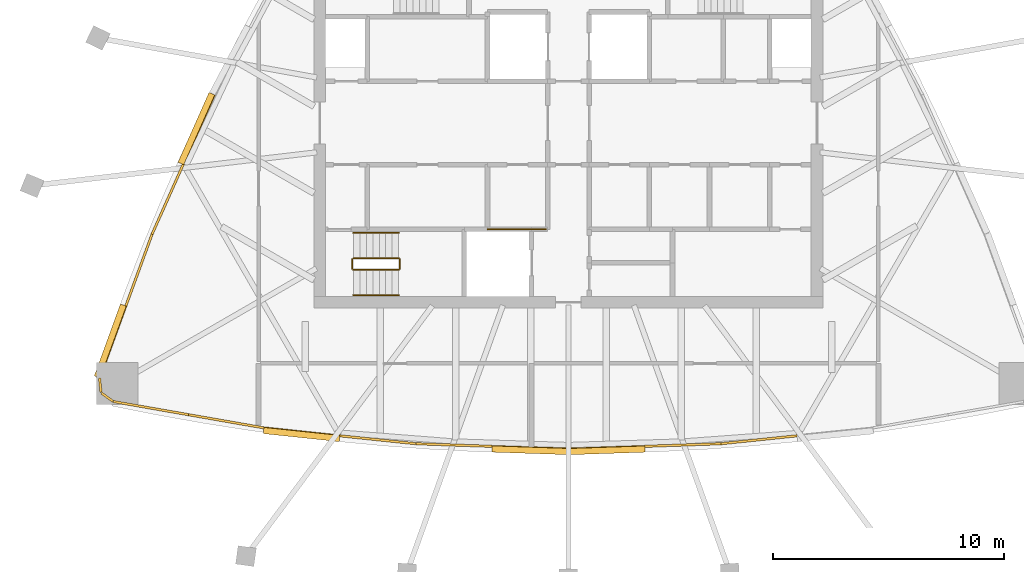
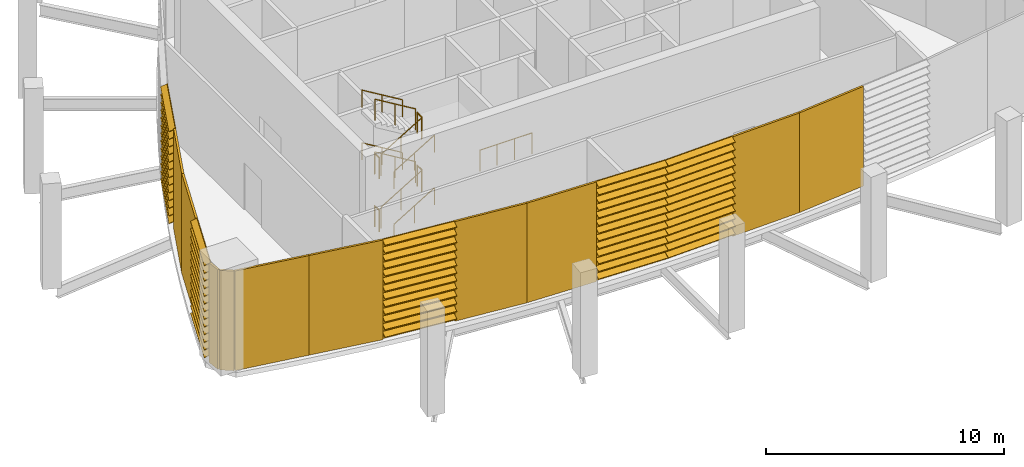
# One storey, part 6 of 8: 13 railings, 10 coverings, 5 shading devices.
"""IFC4 building model written with IfcOpenShell, lengths in metres."""

import ifcopenshell
import ifcopenshell.guid

model = None  # the IFC model being written
_history = None  # IfcOwnerHistory: only IFC2X3 demands one
_inside = {}  # id of a spatial element -> (the spatial element, [elements in it])
_under = {}  # id of a project, library or spatial element -> (it, [spatial elements below it])
_declared = {}  # id of a project -> (the project, [libraries it declares])
_typed = {}  # id of a type object -> (the type object, [elements of that type])
_made_of = {}  # id of a material, layer set ... -> (it, [elements and type objects made of it])


def new_model(schema):
    """Start an empty IFC model of exactly this schema.

    Asked for "IFC4X3", IfcOpenShell would pick the latest addendum, in which some entities
    have other attributes; the version numbers below select the first issue.
    IFC2X3 requires an IfcOwnerHistory on every rooted entity: one is made here for all.
    """
    global model, _history
    if schema == "IFC4X3":
        model = ifcopenshell.file(schema_version=(4, 3, 0, 0))
    else:
        model = ifcopenshell.file(schema=schema)
    _inside.clear()
    _under.clear()
    _declared.clear()
    _typed.clear()
    _made_of.clear()
    _history = None
    if model.schema == "IFC2X3":
        org = make("IfcOrganization", Name="unknown")
        user = make(
            "IfcPersonAndOrganization",
            ThePerson=make("IfcPerson", FamilyName="unknown"),
            TheOrganization=org,
        )
        app = make(
            "IfcApplication",
            ApplicationDeveloper=org,
            Version="unknown",
            ApplicationFullName="unknown",
            ApplicationIdentifier="unknown",
        )
        _history = make(
            "IfcOwnerHistory",
            OwningUser=user,
            OwningApplication=app,
            ChangeAction="ADDED",
            CreationDate=0,
        )
    return model


def make(cls, **values):
    """One entity of the class cls with the attributes given. An attribute that is None is left unset."""
    return model.create_entity(
        cls, **{name: value for name, value in values.items() if value is not None}
    )


def rooted(cls, **values):
    """An entity with a GlobalId (a new one), such as an element, a storey or a relation."""
    return make(cls, GlobalId=ifcopenshell.guid.new(), OwnerHistory=_history, **values)


def si_unit(unit_type, name, prefix=None):
    """IfcSIUnit, for example si_unit("LENGTHUNIT", "METRE", prefix="MILLI")."""
    return make("IfcSIUnit", UnitType=unit_type, Prefix=prefix, Name=name)


def assignment(units):
    """IfcUnitAssignment: the units of a project."""
    return None if units is None else make("IfcUnitAssignment", Units=units)


def point(xyz):
    """IfcCartesianPoint."""
    return None if xyz is None else make("IfcCartesianPoint", Coordinates=xyz)


def direction(xyz):
    """IfcDirection."""
    return None if xyz is None else make("IfcDirection", DirectionRatios=xyz)


def frame(location, z_axis=None, x_axis=None):
    """IfcAxis2Placement3D, a coordinate frame: its origin and axes. An axis left out is left unset."""
    return make(
        "IfcAxis2Placement3D",
        Location=point(location),
        Axis=direction(z_axis),
        RefDirection=direction(x_axis),
    )


def frame_2d(location, x_axis=None):
    """IfcAxis2Placement2D, a coordinate frame in the plane: its origin and x axis."""
    return make(
        "IfcAxis2Placement2D", Location=point(location), RefDirection=direction(x_axis)
    )


def origin():
    """The frame at (0, 0, 0) with its axes left unset."""
    return frame((0.0, 0.0, 0.0))


def origin_2d():
    """The frame at (0, 0) in the plane with its x axis left unset."""
    return frame_2d((0.0, 0.0))


def place(relative_to, where):
    """IfcLocalPlacement: puts the frame where relative to a parent placement (None: the world)."""
    return make(
        "IfcLocalPlacement", PlacementRelTo=relative_to, RelativePlacement=where
    )


def context(
    kind, dimensions, precision=None, world=None, true_north=None, identifier=None
):
    """IfcGeometricRepresentationContext, for example the 3D "Model" context."""
    return make(
        "IfcGeometricRepresentationContext",
        ContextIdentifier=identifier,
        ContextType=kind,
        CoordinateSpaceDimension=dimensions,
        Precision=precision,
        WorldCoordinateSystem=world,
        TrueNorth=true_north,
    )


def subcontext(parent, identifier, kind, view, scale=None):
    """IfcGeometricRepresentationSubContext, for example "Body" below "Model"."""
    return make(
        "IfcGeometricRepresentationSubContext",
        ContextIdentifier=identifier,
        ContextType=kind,
        ParentContext=parent,
        TargetScale=scale,
        TargetView=view,
    )


def project(units=None, contexts=None):
    """IfcProject with its units and contexts."""
    return rooted(
        "IfcProject",
        Name="project",
        RepresentationContexts=contexts,
        UnitsInContext=assignment(units),
    )


def spatial(cls, under=None, at=None, **own):
    """A site, building, storey or space (cls), placed at a placement, below another one or the project."""
    s = rooted(cls, ObjectPlacement=at, **own)
    if under is not None:
        _under.setdefault(under.id(), (under, []))[1].append(s)
    return s


def polyline(points):
    """IfcPolyline through the points."""
    return make("IfcPolyline", Points=[point(p) for p in points])


def profile(cls, at=None, kind="AREA", **sizes):
    """A parametric profile (cls). Its sizes go by their IFC names, for example OverallWidth=200.0."""
    return make(cls, ProfileType=kind, Position=at, **sizes)


def circle(**sizes):
    """IfcCircleProfileDef."""
    return profile("IfcCircleProfileDef", **sizes)


def outline(outer, holes=None, kind="AREA"):
    """IfcArbitraryClosedProfileDef: a profile drawn as a closed curve; with holes, ...WithVoids."""
    if holes is None:
        return make("IfcArbitraryClosedProfileDef", ProfileType=kind, OuterCurve=outer)
    return make(
        "IfcArbitraryProfileDefWithVoids",
        ProfileType=kind,
        OuterCurve=outer,
        InnerCurves=holes,
    )


def extrude(swept, where, along, depth):
    """IfcExtrudedAreaSolid: the profile swept, set in the frame where, extruded along a direction by depth."""
    return make(
        "IfcExtrudedAreaSolid",
        SweptArea=swept,
        Position=where,
        ExtrudedDirection=direction(along),
        Depth=depth,
    )


def shape(context_of_items, identifier, shape_type, items):
    """IfcShapeRepresentation: the items that make up one representation, for example the "Body"."""
    return make(
        "IfcShapeRepresentation",
        ContextOfItems=context_of_items,
        RepresentationIdentifier=identifier,
        RepresentationType=shape_type,
        Items=items,
    )


def material(Name=None, Category=None):
    """IfcMaterial."""
    return make("IfcMaterial", Name=Name, Category=Category)


def layer(
    of_material, thickness, ventilated=None, Name=None, Category=None, Priority=None
):
    """IfcMaterialLayer: one layer of a wall or slab, of a material (None: an air gap)."""
    return make(
        "IfcMaterialLayer",
        Material=of_material,
        LayerThickness=thickness,
        IsVentilated=ventilated,
        Name=Name,
        Category=Category,
        Priority=Priority,
    )


def layer_set(layers, Name=None):
    """IfcMaterialLayerSet."""
    return make("IfcMaterialLayerSet", MaterialLayers=layers, LayerSetName=Name)


def made_of(thing, what):
    """Note that an element or type object is made of a material, layer set ...; save() writes the relation."""
    if what is not None:
        _made_of.setdefault(what.id(), (what, []))[1].append(thing)
    return thing


def type_object(cls, material=None, **own):
    """A type object (cls), such as IfcWallType, which elements share."""
    return made_of(rooted(cls, **own), material)


def element(
    cls,
    number,
    at=None,
    inside=None,
    cuts=None,
    type_object=None,
    material=None,
    context=None,
    identifier="Body",
    shape_type=None,
    held_by="IfcProductDefinitionShape",
    body=None,
    shapes=None,
    **own,
):
    """One element of the class cls, such as IfcWall. Its Tag is "e" and its number.

    at: its placement. inside: the storey or other place that contains it. cuts: it is an
    opening in that element (IfcRelVoidsElement). A single representation is given by context,
    identifier, shape_type and body (its items); several are given by shapes. held_by: the class
    of the entity that holds the representations. save() writes the other relations.
    """
    e = rooted(cls, Tag="e%d" % number, ObjectPlacement=at, **own)
    if body is not None:
        shapes = [shape(context, identifier, shape_type, body)]
    if shapes is not None:
        e.Representation = make(held_by, Representations=shapes)
    if inside is not None:
        _inside.setdefault(inside.id(), (inside, []))[1].append(e)
    if cuts is not None:
        rooted(
            "IfcRelVoidsElement", RelatingBuildingElement=cuts, RelatedOpeningElement=e
        )
    if type_object is not None:
        _typed.setdefault(type_object.id(), (type_object, []))[1].append(e)
    return made_of(e, material)


def aggregate(whole, parts):
    """IfcRelAggregates: a whole, such as a stair, and the parts it consists of."""
    return rooted("IfcRelAggregates", RelatingObject=whole, RelatedObjects=parts)


def save(model, path):
    """Write the relations noted so far, then the file.

    IfcRelAggregates (storeys below a building ...), IfcRelContainedInSpatialStructure (elements
    in a storey), IfcRelDefinesByType, IfcRelAssociatesMaterial and IfcRelDeclares: one each for
    every whole, place, type object, material and project.
    """
    for whole, parts in _under.values():
        aggregate(whole, parts)
    for where, things in _inside.values():
        rooted(
            "IfcRelContainedInSpatialStructure",
            RelatedElements=things,
            RelatingStructure=where,
        )
    for kind, things in _typed.values():
        rooted("IfcRelDefinesByType", RelatedObjects=things, RelatingType=kind)
    for what, things in _made_of.values():
        rooted("IfcRelAssociatesMaterial", RelatedObjects=things, RelatingMaterial=what)
    for by, libraries in _declared.values():
        rooted("IfcRelDeclares", RelatingContext=by, RelatedDefinitions=libraries)
    model.write(path)


model = new_model("IFC4")

# Units and contexts
model_context = context("Model", 3, precision=1e-05, world=origin(), true_north=direction((0.0, 1.0)))
body_context = subcontext(model_context, "Body", "Model", "MODEL_VIEW")
ifc_project = project(units=[si_unit("LENGTHUNIT", "METRE"), si_unit("AREAUNIT", "SQUARE_METRE"), si_unit("VOLUMEUNIT", "CUBIC_METRE"), si_unit("PLANEANGLEUNIT", "RADIAN"), si_unit("MASSUNIT", "GRAM", prefix="KILO")], contexts=[model_context])

# Site, building, storey
site_placement = place(None, origin())
site = spatial("IfcSite", under=ifc_project, at=site_placement, CompositionType="ELEMENT")
building_placement = place(site_placement, origin())
building = spatial("IfcBuilding", under=site, at=building_placement, Name="Sierra Prisma Convention Tower", CompositionType="ELEMENT")
storey_placement = place(building_placement, frame((0.0, 0.0, 344.800048828125)))
storey = spatial("IfcBuildingStorey", under=building, at=storey_placement, Name="L77", CompositionType="ELEMENT", Elevation=344.800048828125)

# Coverings
ifc_material_1 = material(Name="Aluminium composite bronze anodised", Category="aluminium")
ifc_layer = layer(ifc_material_1, 0.10009765625)
ifc_layer_set = layer_set([ifc_layer], Name="Bronze cladding panel")
covering_type = type_object("IfcCoveringType", Name="Bronze cladding panel", PredefinedType="CLADDING", material=ifc_layer_set)
covering_1_placement = place(storey_placement, origin())
element("IfcCovering", 1, at=covering_1_placement, inside=storey, type_object=covering_type, Name="Crown cladding L77.1", PredefinedType="CLADDING", context=body_context, shape_type="SweptSolid", body=[
    extrude(outline(polyline([(-19.66845703125, -12.000244140625), (-16.41650390625, -12.568603515625), (-16.433837890625, -12.667236328125), (-19.685546875, -12.0986328125), (-19.66845703125, -12.000244140625)])), origin(), (0.0, 0.0, 1.0), 5.099853515625),
])
covering_2_placement = place(storey_placement, origin())
element("IfcCovering", 2, at=covering_2_placement, inside=storey, type_object=covering_type, Name="Crown cladding L77.2", PredefinedType="CLADDING", context=body_context, shape_type="SweptSolid", body=[
    extrude(outline(polyline([(-16.41650390625, -12.568603515625), (-13.164794921875, -13.13720703125), (-13.18212890625, -13.235595703125), (-16.433837890625, -12.667236328125), (-16.41650390625, -12.568603515625)])), origin(), (0.0, 0.0, 1.0), 5.099853515625),
])
covering_3_placement = place(storey_placement, origin())
element("IfcCovering", 3, at=covering_3_placement, inside=storey, type_object=covering_type, Name="Crown cladding L77.4", PredefinedType="CLADDING", context=body_context, shape_type="SweptSolid", body=[
    extrude(outline(polyline([(-9.881591796875, -13.479248046875), (-6.59814453125, -13.821533203125), (-6.608642578125, -13.9208984375), (-9.891845703125, -13.578857421875), (-9.881591796875, -13.479248046875)])), origin(), (0.0, 0.0, 1.0), 5.099853515625),
])
covering_4_placement = place(storey_placement, origin())
element("IfcCovering", 4, at=covering_4_placement, inside=storey, type_object=covering_type, Name="Crown cladding L77.5", PredefinedType="CLADDING", context=body_context, shape_type="SweptSolid", body=[
    extrude(outline(polyline([(-6.59814453125, -13.821533203125), (-3.299072265625, -13.935791015625), (-3.302490234375, -14.03564453125), (-6.601806640625, -13.92138671875), (-6.59814453125, -13.821533203125)])), origin(), (0.0, 0.0, 1.0), 5.099853515625),
])
covering_5_placement = place(storey_placement, origin())
element("IfcCovering", 5, at=covering_5_placement, inside=storey, type_object=covering_type, Name="Crown cladding L77.8", PredefinedType="CLADDING", context=body_context, shape_type="SweptSolid", body=[
    extrude(outline(polyline([(3.299072265625, -13.935791015625), (6.59814453125, -13.821533203125), (6.601806640625, -13.92138671875), (3.302490234375, -14.03564453125), (3.299072265625, -13.935791015625)])), origin(), (0.0, 0.0, 1.0), 5.099853515625),
])
covering_6_placement = place(storey_placement, origin())
element("IfcCovering", 6, at=covering_6_placement, inside=storey, type_object=covering_type, Name="Crown cladding L77.9", PredefinedType="CLADDING", context=body_context, shape_type="SweptSolid", body=[
    extrude(outline(polyline([(6.59814453125, -13.821533203125), (9.881591796875, -13.479248046875), (9.891845703125, -13.578857421875), (6.608642578125, -13.9208984375), (6.59814453125, -13.821533203125)])), origin(), (0.0, 0.0, 1.0), 5.099853515625),
])
covering_7_placement = place(storey_placement, origin())
element("IfcCovering", 7, at=covering_7_placement, inside=storey, type_object=covering_type, Name="Crown cladding L77.38", PredefinedType="CLADDING", context=body_context, shape_type="SweptSolid", body=[
    extrude(outline(polyline([(-16.6142578125, -1.818115234375), (-17.95947265625, -4.83251953125), (-18.05078125, -4.791748046875), (-16.70556640625, -1.77734375), (-16.6142578125, -1.818115234375)])), origin(), (0.0, 0.0, 1.0), 5.099853515625),
])
covering_8_placement = place(storey_placement, origin())
element("IfcCovering", 8, at=covering_8_placement, inside=storey, type_object=covering_type, Name="Crown cladding L77.39", PredefinedType="CLADDING", context=body_context, shape_type="SweptSolid", body=[
    extrude(outline(polyline([(-17.95947265625, -4.83251953125), (-19.093017578125, -7.932861328125), (-19.18701171875, -7.8984375), (-18.053466796875, -4.798095703125), (-17.95947265625, -4.83251953125)])), origin(), (0.0, 0.0, 1.0), 5.099853515625),
])
covering_9_placement = place(storey_placement, origin())
element("IfcCovering", 9, at=covering_9_placement, inside=storey, type_object=covering_type, Name="Crown cladding L77.41", PredefinedType="CLADDING", context=body_context, shape_type="SweptSolid", body=[
    extrude(outline(polyline([(-20.2265625, -11.033203125), (-20.163330078125, -11.641357421875), (-20.2626953125, -11.651611328125), (-20.326171875, -11.043701171875), (-20.2265625, -11.033203125)])), origin(), (0.0, 0.0, 1.0), 5.099853515625),
])
covering_10_placement = place(storey_placement, origin())
element("IfcCovering", 10, at=covering_10_placement, inside=storey, type_object=covering_type, Name="Crown cladding L77.42", PredefinedType="CLADDING", context=body_context, shape_type="SweptSolid", body=[
    extrude(outline(polyline([(-20.163330078125, -11.641357421875), (-19.66845703125, -12.000244140625), (-19.72705078125, -12.0810546875), (-20.221923828125, -11.72216796875), (-20.163330078125, -11.641357421875)])), origin(), (0.0, 0.0, 1.0), 5.099853515625),
])

# Railings
ifc_material_2 = material(Name="Stainless steel", Category="steel")
railing_type_1 = type_object("IfcRailingType", Name="Exit stair handrail", PredefinedType="HANDRAIL", material=ifc_material_2)
railing_1_placement = place(storey_placement, frame((-9.300048828125, -7.449951171875, 0.168701171875)))
element("IfcRailing", 11, at=railing_1_placement, inside=storey, type_object=railing_type_1, Name="L77 S1 stair handrail 1", PredefinedType="HANDRAIL", context=body_context, shape_type="SweptSolid", body=[
    extrude(circle(Radius=0.02392578125, at=origin_2d()), frame((0.0, 0.0, 0.8759765625), z_axis=(0.856493463811, 0.0, 0.516157869696), x_axis=(0.0, 1.0, 0.0)), (0.0, 0.0, 1.0), 2.288330078125),
    extrude(circle(Radius=0.02099609375, at=origin_2d()), origin(), (0.0, 0.0, 1.0), 0.851806640625),
    extrude(circle(Radius=0.02099609375, at=origin_2d()), frame((0.97998046875, 0.0, 0.590576171875)), (0.0, 0.0, 1.0), 0.851806640625),
    extrude(circle(Radius=0.02099609375, at=origin_2d()), frame((1.9599609375, 0.0, 1.18115234375)), (0.0, 0.0, 1.0), 0.851806640625),
])
railing_2_placement = place(storey_placement, frame((-7.340087890625, -4.75, 1.518798828125)))
element("IfcRailing", 12, at=railing_2_placement, inside=storey, type_object=railing_type_1, Name="L77 S1 stair handrail 2", PredefinedType="HANDRAIL", context=body_context, shape_type="SweptSolid", body=[
    extrude(circle(Radius=0.02392578125, at=origin_2d()), frame((0.0, 0.0, 0.8759765625), z_axis=(-0.856493463811, 0.0, 0.516157869696), x_axis=(0.0, -1.0, 0.0)), (0.0, 0.0, 1.0), 2.288330078125),
    extrude(circle(Radius=0.02099609375, at=origin_2d()), origin(), (0.0, 0.0, 1.0), 0.851806640625),
    extrude(circle(Radius=0.02099609375, at=origin_2d()), frame((-0.97998046875, 0.0, 0.590576171875)), (0.0, 0.0, 1.0), 0.851806640625),
    extrude(circle(Radius=0.02099609375, at=origin_2d()), frame((-1.9599609375, 0.0, 1.18115234375)), (0.0, 0.0, 1.0), 0.851806640625),
])
railing_3_placement = place(storey_placement, frame((-9.300048828125, -7.449951171875, 2.86865234375)))
element("IfcRailing", 13, at=railing_3_placement, inside=storey, type_object=railing_type_1, Name="L77 S1 stair handrail 3", PredefinedType="HANDRAIL", context=body_context, shape_type="SweptSolid", body=[
    extrude(circle(Radius=0.02392578125, at=origin_2d()), frame((0.0, 0.0, 0.8759765625), z_axis=(0.856446297458, 0.0, 0.516236127728), x_axis=(0.0, 1.0, 0.0)), (0.0, 0.0, 1.0), 2.28857421875),
    extrude(circle(Radius=0.02099609375, at=origin_2d()), origin(), (0.0, 0.0, 1.0), 0.851806640625),
    extrude(circle(Radius=0.02099609375, at=origin_2d()), frame((0.97998046875, 0.0, 0.5908203125)), (0.0, 0.0, 1.0), 0.851806640625),
    extrude(circle(Radius=0.02099609375, at=origin_2d()), frame((1.9599609375, 0.0, 1.181396484375)), (0.0, 0.0, 1.0), 0.851806640625),
])
railing_4_placement = place(storey_placement, frame((-7.340087890625, -4.75, 4.21875)))
element("IfcRailing", 14, at=railing_4_placement, inside=storey, type_object=railing_type_1, Name="L77 S1 stair handrail 4", PredefinedType="HANDRAIL", context=body_context, shape_type="SweptSolid", body=[
    extrude(circle(Radius=0.02392578125, at=origin_2d()), frame((0.0, 0.0, 0.8759765625), z_axis=(-0.856493463811, 0.0, 0.516157869696), x_axis=(0.0, -1.0, 0.0)), (0.0, 0.0, 1.0), 2.288330078125),
    extrude(circle(Radius=0.02099609375, at=origin_2d()), origin(), (0.0, 0.0, 1.0), 0.851806640625),
    extrude(circle(Radius=0.02099609375, at=origin_2d()), frame((-0.97998046875, 0.0, 0.590576171875)), (0.0, 0.0, 1.0), 0.851806640625),
    extrude(circle(Radius=0.02099609375, at=origin_2d()), frame((-1.9599609375, 0.0, 1.18115234375)), (0.0, 0.0, 1.0), 0.851806640625),
])
ifc_material_3 = material(Name="Bronze anodised aluminium", Category="aluminium")
railing_type_2 = type_object("IfcRailingType", Name="Facade guard 1100", PredefinedType="GUARDRAIL", material=ifc_material_3)
railing_5_placement = place(storey_placement, frame((-3.5, -4.60009765625, 0.0)))
element("IfcRailing", 15, at=railing_5_placement, inside=storey, type_object=railing_type_2, Name="Lift opening guard", PredefinedType="GUARDRAIL", context=body_context, shape_type="SweptSolid", body=[
    extrude(circle(Radius=0.02392578125, at=origin_2d()), frame((0.0, 0.0, 1.076171875), z_axis=(1.0, 0.0, 0.0), x_axis=(0.0, 1.0, 0.0)), (0.0, 0.0, 1.0), 2.530029296875),
    extrude(circle(Radius=0.02099609375, at=origin_2d()), origin(), (0.0, 0.0, 1.0), 1.052001953125),
    extrude(circle(Radius=0.02099609375, at=origin_2d()), frame((0.84326171875, 0.0, 0.0)), (0.0, 0.0, 1.0), 1.052001953125),
    extrude(circle(Radius=0.02099609375, at=origin_2d()), frame((1.686767578125, 0.0, 0.0)), (0.0, 0.0, 1.0), 1.052001953125),
    extrude(circle(Radius=0.02099609375, at=origin_2d()), frame((2.530029296875, 0.0, 0.0)), (0.0, 0.0, 1.0), 1.052001953125),
])

# Shading devices
ifc_material_4 = material(Name="Aluminium 6063-T6 bronze anodised", Category="aluminium")
shading_device_type = type_object("IfcShadingDeviceType", Name="Louvre bay bronze", PredefinedType="USERDEFINED", material=ifc_material_4)
shading_device_1_placement = place(storey_placement, frame((-13.164794921875, -13.13720703125, 0.0), z_axis=(-0.994456345871, 0.10515025514, 0.0), x_axis=(0.0, 0.0, 1.0)))
element("IfcShadingDevice", 16, at=shading_device_1_placement, inside=storey, type_object=shading_device_type, Name="Crown louvre L77.3", ObjectType="LOUVRE", PredefinedType="USERDEFINED", context=body_context, shape_type="SweptSolid", body=[
    extrude(outline(polyline([(0.0, 0.0), (5.099853515625, 0.0), (5.099853515625, -0.02995376648269937), (5.079833984375, -0.02995376648269937), (4.9599609375, -0.2999718963166088), (4.929931640625, -0.2999718963166088), (5.050048828125, -0.02995376648269937), (4.707763671875, -0.02995376648269937), (4.687744140625, -0.02995376648269937), (4.567626953125, -0.2999718963166088), (4.53759765625, -0.2999718963166088), (4.65771484375, -0.02995376648269937), (4.3154296875, -0.02995376648269937), (4.29541015625, -0.02995376648269937), (4.17529296875, -0.2999718963166088), (4.145263671875, -0.2999718963166088), (4.265380859375, -0.02995376648269937), (3.923095703125, -0.02995376648269937), (3.903076171875, -0.02995376648269937), (3.782958984375, -0.2999718963166088), (3.7529296875, -0.2999718963166088), (3.873046875, -0.02995376648269937), (3.53076171875, -0.02995376648269937), (3.5107421875, -0.02995376648269937), (3.390625, -0.2999718963166088), (3.36083984375, -0.2999718963166088), (3.480712890625, -0.02995376648269937), (3.138427734375, -0.02995376648269937), (3.118408203125, -0.02995376648269937), (2.998291015625, -0.2999718963166088), (2.968505859375, -0.2999718963166088), (3.08837890625, -0.02995376648269937), (2.74609375, -0.02995376648269937), (2.72607421875, -0.02995376648269937), (2.606201171875, -0.2999718963166088), (2.576171875, -0.2999718963166088), (2.696044921875, -0.02995376648269937), (2.353759765625, -0.02995376648269937), (2.333740234375, -0.02995376648269937), (2.2138671875, -0.2999718963166088), (2.183837890625, -0.2999718963166088), (2.3037109375, -0.02995376648269937), (1.96142578125, -0.02995376648269937), (1.94140625, -0.02995376648269937), (1.821533203125, -0.2999718963166088), (1.79150390625, -0.2999718963166088), (1.911376953125, -0.02995376648269937), (1.569091796875, -0.02995376648269937), (1.549072265625, -0.02995376648269937), (1.42919921875, -0.2999718963166088), (1.399169921875, -0.2999718963166088), (1.519287109375, -0.02995376648269937), (1.1767578125, -0.02995376648269937), (1.156982421875, -0.02995376648269937), (1.036865234375, -0.2999718963166088), (1.0068359375, -0.2999718963166088), (1.126953125, -0.02995376648269937), (0.78466796875, -0.02995376648269937), (0.7646484375, -0.02995376648269937), (0.64453125, -0.2999718963166088), (0.614501953125, -0.2999718963166088), (0.734619140625, -0.02995376648269937), (0.392333984375, -0.02995376648269937), (0.372314453125, -0.02995376648269937), (0.252197265625, -0.2999718963166088), (0.22216796875, -0.2999718963166088), (0.34228515625, -0.02995376648269937), (0.0, -0.02995376648269937), (0.0, 0.0)])), origin(), (0.0, 0.0, -1.0), 3.301025390625),
])
shading_device_2_placement = place(storey_placement, frame((-3.299072265625, -13.935791015625, 0.0), z_axis=(-0.999434328226, 0.033630693773, 0.0), x_axis=(0.0, 0.0, 1.0)))
element("IfcShadingDevice", 17, at=shading_device_2_placement, inside=storey, type_object=shading_device_type, Name="Crown louvre L77.6", ObjectType="LOUVRE", PredefinedType="USERDEFINED", context=body_context, shape_type="SweptSolid", body=[
    extrude(outline(polyline([(0.0, 0.0), (5.099853515625, 0.0), (5.099853515625, -0.030045152623749297), (5.079833984375, -0.030045152623749297), (4.9599609375, -0.29998815305020465), (4.929931640625, -0.29998815305020465), (5.050048828125, -0.030045152623749297), (4.707763671875, -0.030045152623749297), (4.687744140625, -0.030045152623749297), (4.567626953125, -0.29998815305020465), (4.53759765625, -0.29998815305020465), (4.65771484375, -0.030045152623749297), (4.3154296875, -0.030045152623749297), (4.29541015625, -0.030045152623749297), (4.17529296875, -0.29998815305020465), (4.145263671875, -0.29998815305020465), (4.265380859375, -0.030045152623749297), (3.923095703125, -0.030045152623749297), (3.903076171875, -0.030045152623749297), (3.782958984375, -0.29998815305020465), (3.7529296875, -0.29998815305020465), (3.873046875, -0.030045152623749297), (3.53076171875, -0.030045152623749297), (3.5107421875, -0.030045152623749297), (3.390625, -0.29998815305020465), (3.36083984375, -0.29998815305020465), (3.480712890625, -0.030045152623749297), (3.138427734375, -0.030045152623749297), (3.118408203125, -0.030045152623749297), (2.998291015625, -0.29998815305020465), (2.968505859375, -0.29998815305020465), (3.08837890625, -0.030045152623749297), (2.74609375, -0.030045152623749297), (2.72607421875, -0.030045152623749297), (2.606201171875, -0.29998815305020465), (2.576171875, -0.29998815305020465), (2.696044921875, -0.030045152623749297), (2.353759765625, -0.030045152623749297), (2.333740234375, -0.030045152623749297), (2.2138671875, -0.29998815305020465), (2.183837890625, -0.29998815305020465), (2.3037109375, -0.030045152623749297), (1.96142578125, -0.030045152623749297), (1.94140625, -0.030045152623749297), (1.821533203125, -0.29998815305020465), (1.79150390625, -0.29998815305020465), (1.911376953125, -0.030045152623749297), (1.569091796875, -0.030045152623749297), (1.549072265625, -0.030045152623749297), (1.42919921875, -0.29998815305020465), (1.399169921875, -0.29998815305020465), (1.519287109375, -0.030045152623749297), (1.1767578125, -0.030045152623749297), (1.156982421875, -0.030045152623749297), (1.036865234375, -0.29998815305020465), (1.0068359375, -0.29998815305020465), (1.126953125, -0.030045152623749297), (0.78466796875, -0.030045152623749297), (0.7646484375, -0.030045152623749297), (0.64453125, -0.29998815305020465), (0.614501953125, -0.29998815305020465), (0.734619140625, -0.030045152623749297), (0.392333984375, -0.030045152623749297), (0.372314453125, -0.030045152623749297), (0.252197265625, -0.29998815305020465), (0.22216796875, -0.29998815305020465), (0.34228515625, -0.030045152623749297), (0.0, -0.030045152623749297), (0.0, 0.0)])), origin(), (0.0, 0.0, -1.0), 3.301025390625),
])
shading_device_3_placement = place(storey_placement, frame((0.0, -14.050048828125, 0.0), z_axis=(-0.999434328226, -0.033630693773, 0.0), x_axis=(0.0, 0.0, 1.0)))
element("IfcShadingDevice", 18, at=shading_device_3_placement, inside=storey, type_object=shading_device_type, Name="Crown louvre L77.7", ObjectType="LOUVRE", PredefinedType="USERDEFINED", context=body_context, shape_type="SweptSolid", body=[
    extrude(outline(polyline([(0.0, 0.0), (5.099853515625, 0.0), (5.099853515625, -0.030045152623749297), (5.079833984375, -0.030045152623749297), (4.9599609375, -0.29998815305020465), (4.929931640625, -0.29998815305020465), (5.050048828125, -0.030045152623749297), (4.707763671875, -0.030045152623749297), (4.687744140625, -0.030045152623749297), (4.567626953125, -0.29998815305020465), (4.53759765625, -0.29998815305020465), (4.65771484375, -0.030045152623749297), (4.3154296875, -0.030045152623749297), (4.29541015625, -0.030045152623749297), (4.17529296875, -0.29998815305020465), (4.145263671875, -0.29998815305020465), (4.265380859375, -0.030045152623749297), (3.923095703125, -0.030045152623749297), (3.903076171875, -0.030045152623749297), (3.782958984375, -0.29998815305020465), (3.7529296875, -0.29998815305020465), (3.873046875, -0.030045152623749297), (3.53076171875, -0.030045152623749297), (3.5107421875, -0.030045152623749297), (3.390625, -0.29998815305020465), (3.36083984375, -0.29998815305020465), (3.480712890625, -0.030045152623749297), (3.138427734375, -0.030045152623749297), (3.118408203125, -0.030045152623749297), (2.998291015625, -0.29998815305020465), (2.968505859375, -0.29998815305020465), (3.08837890625, -0.030045152623749297), (2.74609375, -0.030045152623749297), (2.72607421875, -0.030045152623749297), (2.606201171875, -0.29998815305020465), (2.576171875, -0.29998815305020465), (2.696044921875, -0.030045152623749297), (2.353759765625, -0.030045152623749297), (2.333740234375, -0.030045152623749297), (2.2138671875, -0.29998815305020465), (2.183837890625, -0.29998815305020465), (2.3037109375, -0.030045152623749297), (1.96142578125, -0.030045152623749297), (1.94140625, -0.030045152623749297), (1.821533203125, -0.29998815305020465), (1.79150390625, -0.29998815305020465), (1.911376953125, -0.030045152623749297), (1.569091796875, -0.030045152623749297), (1.549072265625, -0.030045152623749297), (1.42919921875, -0.29998815305020465), (1.399169921875, -0.29998815305020465), (1.519287109375, -0.030045152623749297), (1.1767578125, -0.030045152623749297), (1.156982421875, -0.030045152623749297), (1.036865234375, -0.29998815305020465), (1.0068359375, -0.29998815305020465), (1.126953125, -0.030045152623749297), (0.78466796875, -0.030045152623749297), (0.7646484375, -0.030045152623749297), (0.64453125, -0.29998815305020465), (0.614501953125, -0.29998815305020465), (0.734619140625, -0.030045152623749297), (0.392333984375, -0.030045152623749297), (0.372314453125, -0.030045152623749297), (0.252197265625, -0.29998815305020465), (0.22216796875, -0.29998815305020465), (0.34228515625, -0.030045152623749297), (0.0, -0.030045152623749297), (0.0, 0.0)])), origin(), (0.0, 0.0, -1.0), 3.301025390625),
])
shading_device_4_placement = place(storey_placement, frame((-15.268798828125, 1.196533203125, 0.0), z_axis=(0.405894417832, 0.913919975475, 0.0), x_axis=(0.0, 0.0, 1.0)))
element("IfcShadingDevice", 19, at=shading_device_4_placement, inside=storey, type_object=shading_device_type, Name="Crown louvre L77.37", ObjectType="LOUVRE", PredefinedType="USERDEFINED", context=body_context, shape_type="SweptSolid", body=[
    extrude(outline(polyline([(0.0, 0.0), (5.099853515625, 0.0), (5.099853515625, -0.030167890166091792), (5.079833984375, -0.030167890166091792), (4.9599609375, -0.3002161220196834), (4.929931640625, -0.3002161220196834), (5.050048828125, -0.030167890166091792), (4.707763671875, -0.030167890166091792), (4.687744140625, -0.030167890166091792), (4.567626953125, -0.3002161220196834), (4.53759765625, -0.3002161220196834), (4.65771484375, -0.030167890166091792), (4.3154296875, -0.030167890166091792), (4.29541015625, -0.030167890166091792), (4.17529296875, -0.3002161220196834), (4.145263671875, -0.3002161220196834), (4.265380859375, -0.030167890166091792), (3.923095703125, -0.030167890166091792), (3.903076171875, -0.030167890166091792), (3.782958984375, -0.3002161220196834), (3.7529296875, -0.3002161220196834), (3.873046875, -0.030167890166091792), (3.53076171875, -0.030167890166091792), (3.5107421875, -0.030167890166091792), (3.390625, -0.3002161220196834), (3.36083984375, -0.3002161220196834), (3.480712890625, -0.030167890166091792), (3.138427734375, -0.030167890166091792), (3.118408203125, -0.030167890166091792), (2.998291015625, -0.3002161220196834), (2.968505859375, -0.3002161220196834), (3.08837890625, -0.030167890166091792), (2.74609375, -0.030167890166091792), (2.72607421875, -0.030167890166091792), (2.606201171875, -0.3002161220196834), (2.576171875, -0.3002161220196834), (2.696044921875, -0.030167890166091792), (2.353759765625, -0.030167890166091792), (2.333740234375, -0.030167890166091792), (2.2138671875, -0.3002161220196834), (2.183837890625, -0.3002161220196834), (2.3037109375, -0.030167890166091792), (1.96142578125, -0.030167890166091792), (1.94140625, -0.030167890166091792), (1.821533203125, -0.3002161220196834), (1.79150390625, -0.3002161220196834), (1.911376953125, -0.030167890166091792), (1.569091796875, -0.030167890166091792), (1.549072265625, -0.030167890166091792), (1.42919921875, -0.3002161220196834), (1.399169921875, -0.3002161220196834), (1.519287109375, -0.030167890166091792), (1.1767578125, -0.030167890166091792), (1.156982421875, -0.030167890166091792), (1.036865234375, -0.3002161220196834), (1.0068359375, -0.3002161220196834), (1.126953125, -0.030167890166091792), (0.78466796875, -0.030167890166091792), (0.7646484375, -0.030167890166091792), (0.64453125, -0.3002161220196834), (0.614501953125, -0.3002161220196834), (0.734619140625, -0.030167890166091792), (0.392333984375, -0.030167890166091792), (0.372314453125, -0.030167890166091792), (0.252197265625, -0.3002161220196834), (0.22216796875, -0.3002161220196834), (0.34228515625, -0.030167890166091792), (0.0, -0.030167890166091792), (0.0, 0.0)])), origin(), (0.0, 0.0, -1.0), 3.301025390625),
])
shading_device_5_placement = place(storey_placement, frame((-19.093017578125, -7.932861328125, 0.0), z_axis=(0.34179738765, 0.939773667324, 0.0), x_axis=(0.0, 0.0, 1.0)))
element("IfcShadingDevice", 20, at=shading_device_5_placement, inside=storey, type_object=shading_device_type, Name="Crown louvre L77.40", ObjectType="LOUVRE", PredefinedType="USERDEFINED", context=body_context, shape_type="SweptSolid", body=[
    extrude(outline(polyline([(0.0, 0.0), (5.099853515625, 0.0), (5.099853515625, -0.030119442307345274), (5.079833984375, -0.030119442307345274), (4.9599609375, -0.2999846947461468), (4.929931640625, -0.2999846947461468), (5.050048828125, -0.030119442307345274), (4.707763671875, -0.030119442307345274), (4.687744140625, -0.030119442307345274), (4.567626953125, -0.2999846947461468), (4.53759765625, -0.2999846947461468), (4.65771484375, -0.030119442307345274), (4.3154296875, -0.030119442307345274), (4.29541015625, -0.030119442307345274), (4.17529296875, -0.2999846947461468), (4.145263671875, -0.2999846947461468), (4.265380859375, -0.030119442307345274), (3.923095703125, -0.030119442307345274), (3.903076171875, -0.030119442307345274), (3.782958984375, -0.2999846947461468), (3.7529296875, -0.2999846947461468), (3.873046875, -0.030119442307345274), (3.53076171875, -0.030119442307345274), (3.5107421875, -0.030119442307345274), (3.390625, -0.2999846947461468), (3.36083984375, -0.2999846947461468), (3.480712890625, -0.030119442307345274), (3.138427734375, -0.030119442307345274), (3.118408203125, -0.030119442307345274), (2.998291015625, -0.2999846947461468), (2.968505859375, -0.2999846947461468), (3.08837890625, -0.030119442307345274), (2.74609375, -0.030119442307345274), (2.72607421875, -0.030119442307345274), (2.606201171875, -0.2999846947461468), (2.576171875, -0.2999846947461468), (2.696044921875, -0.030119442307345274), (2.353759765625, -0.030119442307345274), (2.333740234375, -0.030119442307345274), (2.2138671875, -0.2999846947461468), (2.183837890625, -0.2999846947461468), (2.3037109375, -0.030119442307345274), (1.96142578125, -0.030119442307345274), (1.94140625, -0.030119442307345274), (1.821533203125, -0.2999846947461468), (1.79150390625, -0.2999846947461468), (1.911376953125, -0.030119442307345274), (1.569091796875, -0.030119442307345274), (1.549072265625, -0.030119442307345274), (1.42919921875, -0.2999846947461468), (1.399169921875, -0.2999846947461468), (1.519287109375, -0.030119442307345274), (1.1767578125, -0.030119442307345274), (1.156982421875, -0.030119442307345274), (1.036865234375, -0.2999846947461468), (1.0068359375, -0.2999846947461468), (1.126953125, -0.030119442307345274), (0.78466796875, -0.030119442307345274), (0.7646484375, -0.030119442307345274), (0.64453125, -0.2999846947461468), (0.614501953125, -0.2999846947461468), (0.734619140625, -0.030119442307345274), (0.392333984375, -0.030119442307345274), (0.372314453125, -0.030119442307345274), (0.252197265625, -0.2999846947461468), (0.22216796875, -0.2999846947461468), (0.34228515625, -0.030119442307345274), (0.0, -0.030119442307345274), (0.0, 0.0)])), origin(), (0.0, 0.0, -1.0), 3.301025390625),
])

# Railings
ifc_material_5 = material(Name="Stainless steel", Category="steel")
railing_type_3 = type_object("IfcRailingType", Name="Stair guard 1100", PredefinedType="GUARDRAIL", material=ifc_material_5)
railing_6_placement = place(storey_placement, frame((-9.300048828125, -6.35009765625, 0.168701171875)))
element("IfcRailing", 21, at=railing_6_placement, inside=storey, type_object=railing_type_3, Name="L77 S1 stair guard 1", PredefinedType="GUARDRAIL", context=body_context, shape_type="SweptSolid", body=[
    extrude(circle(Radius=0.02392578125, at=origin_2d()), frame((0.0, 0.0, 1.076171875), z_axis=(0.856493463811, 0.0, 0.516157869696), x_axis=(0.0, 1.0, 0.0)), (0.0, 0.0, 1.0), 2.288330078125),
    extrude(circle(Radius=0.02099609375, at=origin_2d()), origin(), (0.0, 0.0, 1.0), 1.052001953125),
    extrude(circle(Radius=0.02099609375, at=origin_2d()), frame((0.97998046875, 0.0, 0.590576171875)), (0.0, 0.0, 1.0), 1.052001953125),
    extrude(circle(Radius=0.02099609375, at=origin_2d()), frame((1.9599609375, 0.0, 1.18115234375)), (0.0, 0.0, 1.0), 1.052001953125),
])
railing_7_placement = place(storey_placement, frame((-7.2900390625, -6.300048828125, 1.349853515625)))
element("IfcRailing", 22, at=railing_7_placement, inside=storey, type_object=railing_type_3, Name="L77 S1 stair guard 2", PredefinedType="GUARDRAIL", context=body_context, shape_type="SweptSolid", body=[
    extrude(circle(Radius=0.02392578125, at=origin_2d()), frame((0.0, 0.0, 1.076171875), z_axis=(0.0, 1.0, 0.0), x_axis=(-1.0, 0.0, 0.0)), (0.0, 0.0, 1.0), 0.400146484375),
    extrude(circle(Radius=0.02099609375, at=origin_2d()), origin(), (0.0, 0.0, 1.0), 1.052001953125),
    extrude(circle(Radius=0.02099609375, at=origin_2d()), frame((0.0, 0.400146484375, 0.0)), (0.0, 0.0, 1.0), 1.052001953125),
])
railing_8_placement = place(storey_placement, frame((-7.340087890625, -5.85009765625, 1.518798828125)))
element("IfcRailing", 23, at=railing_8_placement, inside=storey, type_object=railing_type_3, Name="L77 S1 stair guard 3", PredefinedType="GUARDRAIL", context=body_context, shape_type="SweptSolid", body=[
    extrude(circle(Radius=0.02392578125, at=origin_2d()), frame((0.0, 0.0, 1.076171875), z_axis=(-0.856493463811, 0.0, 0.516157869696), x_axis=(0.0, -1.0, 0.0)), (0.0, 0.0, 1.0), 2.288330078125),
    extrude(circle(Radius=0.02099609375, at=origin_2d()), origin(), (0.0, 0.0, 1.0), 1.052001953125),
    extrude(circle(Radius=0.02099609375, at=origin_2d()), frame((-0.97998046875, 0.0, 0.590576171875)), (0.0, 0.0, 1.0), 1.052001953125),
    extrude(circle(Radius=0.02099609375, at=origin_2d()), frame((-1.9599609375, 0.0, 1.18115234375)), (0.0, 0.0, 1.0), 1.052001953125),
])
railing_9_placement = place(storey_placement, frame((-9.35009765625, -6.300048828125, 2.699951171875)))
element("IfcRailing", 24, at=railing_9_placement, inside=storey, type_object=railing_type_3, Name="L77 S1 stair guard 4", PredefinedType="GUARDRAIL", context=body_context, shape_type="SweptSolid", body=[
    extrude(circle(Radius=0.02392578125, at=origin_2d()), frame((0.0, 0.0, 1.076171875), z_axis=(0.0, 1.0, 0.0), x_axis=(-1.0, 0.0, 0.0)), (0.0, 0.0, 1.0), 0.400146484375),
    extrude(circle(Radius=0.02099609375, at=origin_2d()), origin(), (0.0, 0.0, 1.0), 1.052001953125),
    extrude(circle(Radius=0.02099609375, at=origin_2d()), frame((0.0, 0.400146484375, 0.0)), (0.0, 0.0, 1.0), 1.052001953125),
])
railing_10_placement = place(storey_placement, frame((-9.300048828125, -6.35009765625, 2.86865234375)))
element("IfcRailing", 25, at=railing_10_placement, inside=storey, type_object=railing_type_3, Name="L77 S1 stair guard 5", PredefinedType="GUARDRAIL", context=body_context, shape_type="SweptSolid", body=[
    extrude(circle(Radius=0.02392578125, at=origin_2d()), frame((0.0, 0.0, 1.076171875), z_axis=(0.856446297458, 0.0, 0.516236127728), x_axis=(0.0, 1.0, 0.0)), (0.0, 0.0, 1.0), 2.28857421875),
    extrude(circle(Radius=0.02099609375, at=origin_2d()), origin(), (0.0, 0.0, 1.0), 1.052001953125),
    extrude(circle(Radius=0.02099609375, at=origin_2d()), frame((0.97998046875, 0.0, 0.5908203125)), (0.0, 0.0, 1.0), 1.052001953125),
    extrude(circle(Radius=0.02099609375, at=origin_2d()), frame((1.9599609375, 0.0, 1.181396484375)), (0.0, 0.0, 1.0), 1.052001953125),
])
railing_11_placement = place(storey_placement, frame((-7.2900390625, -6.300048828125, 4.050048828125)))
element("IfcRailing", 26, at=railing_11_placement, inside=storey, type_object=railing_type_3, Name="L77 S1 stair guard 6", PredefinedType="GUARDRAIL", context=body_context, shape_type="SweptSolid", body=[
    extrude(circle(Radius=0.02392578125, at=origin_2d()), frame((0.0, 0.0, 1.076171875), z_axis=(0.0, 1.0, 0.0), x_axis=(-1.0, 0.0, 0.0)), (0.0, 0.0, 1.0), 0.400146484375),
    extrude(circle(Radius=0.02099609375, at=origin_2d()), origin(), (0.0, 0.0, 1.0), 1.052001953125),
    extrude(circle(Radius=0.02099609375, at=origin_2d()), frame((0.0, 0.400146484375, 0.0)), (0.0, 0.0, 1.0), 1.052001953125),
])
railing_12_placement = place(storey_placement, frame((-7.340087890625, -5.85009765625, 4.21875)))
element("IfcRailing", 27, at=railing_12_placement, inside=storey, type_object=railing_type_3, Name="L77 S1 stair guard 7", PredefinedType="GUARDRAIL", context=body_context, shape_type="SweptSolid", body=[
    extrude(circle(Radius=0.02392578125, at=origin_2d()), frame((0.0, 0.0, 1.076171875), z_axis=(-0.856493463811, 0.0, 0.516157869696), x_axis=(0.0, -1.0, 0.0)), (0.0, 0.0, 1.0), 2.288330078125),
    extrude(circle(Radius=0.02099609375, at=origin_2d()), origin(), (0.0, 0.0, 1.0), 1.052001953125),
    extrude(circle(Radius=0.02099609375, at=origin_2d()), frame((-0.97998046875, 0.0, 0.590576171875)), (0.0, 0.0, 1.0), 1.052001953125),
    extrude(circle(Radius=0.02099609375, at=origin_2d()), frame((-1.9599609375, 0.0, 1.18115234375)), (0.0, 0.0, 1.0), 1.052001953125),
])
railing_13_placement = place(storey_placement, frame((-9.35009765625, -6.300048828125, 0.0)))
element("IfcRailing", 28, at=railing_13_placement, inside=storey, type_object=railing_type_3, Name="L77 S1 stair guard 8", PredefinedType="GUARDRAIL", context=body_context, shape_type="SweptSolid", body=[
    extrude(circle(Radius=0.02392578125, at=origin_2d()), frame((0.0, 0.0, 1.076171875), z_axis=(0.0, 1.0, 0.0), x_axis=(-1.0, 0.0, 0.0)), (0.0, 0.0, 1.0), 0.400146484375),
    extrude(circle(Radius=0.02099609375, at=origin_2d()), origin(), (0.0, 0.0, 1.0), 1.052001953125),
    extrude(circle(Radius=0.02099609375, at=origin_2d()), frame((0.0, 0.400146484375, 0.0)), (0.0, 0.0, 1.0), 1.052001953125),
])

save(model, "model.ifc")
